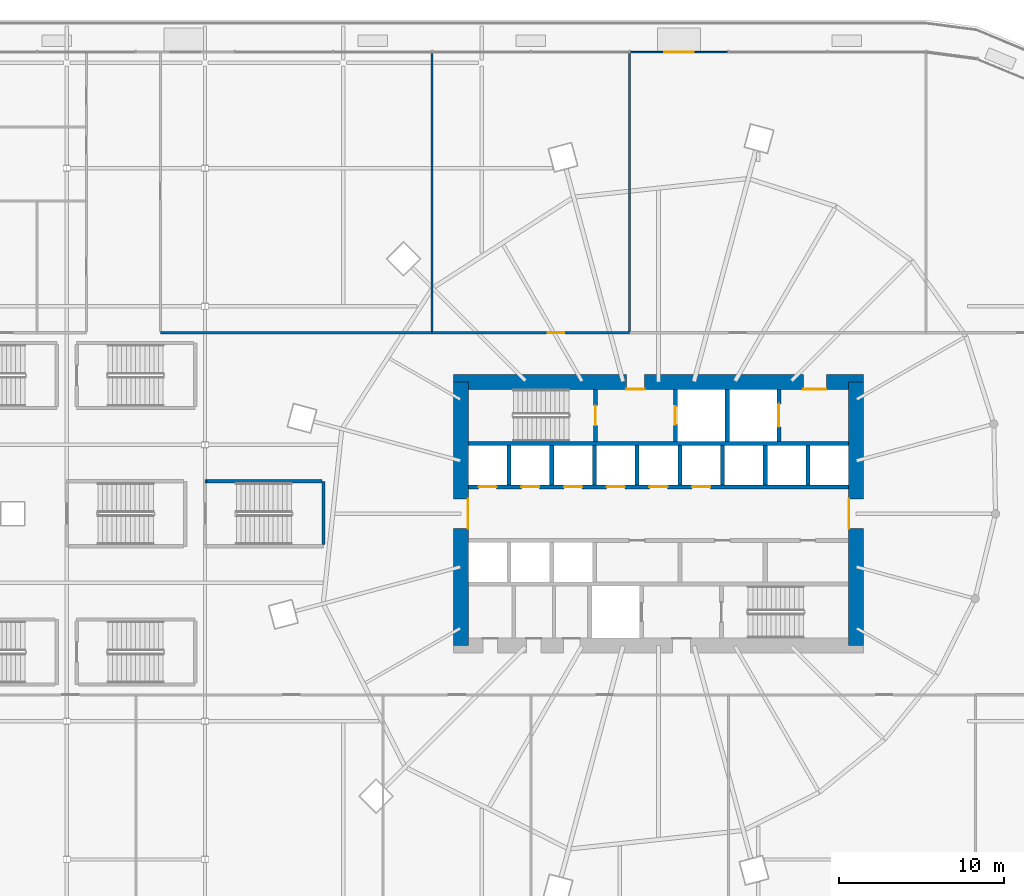
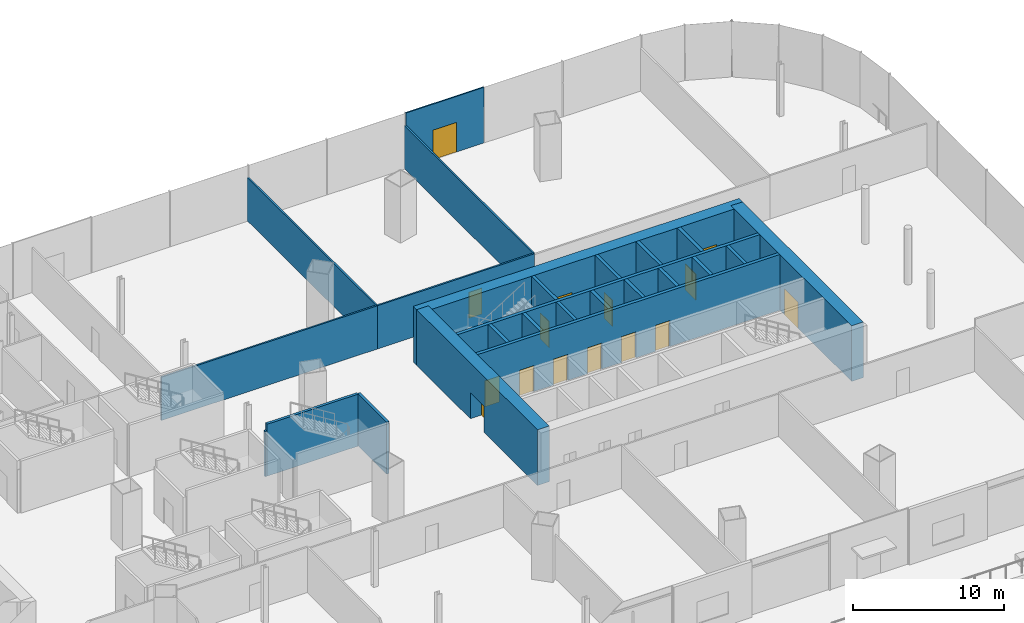
# One storey, part 40 of 52: 25 walls, 15 doors, 15 openings.
"""IFC4 building model written with IfcOpenShell, lengths in metres."""

from ifc_helpers import new_model, si_unit, direction, frame, frame_2d, origin, place, context, subcontext, project, spatial, rectangle, extrude, material, layer, layer_set, type_object, element, fill, save


model = new_model("IFC4")

# Units and contexts
model_context = context("Model", 3, precision=1e-05, world=origin(), true_north=direction((0.0, 1.0)))
body_context = subcontext(model_context, "Body", "Model", "MODEL_VIEW")
ifc_project = project(units=[si_unit("LENGTHUNIT", "METRE"), si_unit("AREAUNIT", "SQUARE_METRE"), si_unit("VOLUMEUNIT", "CUBIC_METRE"), si_unit("PLANEANGLEUNIT", "RADIAN"), si_unit("MASSUNIT", "GRAM", prefix="KILO")], contexts=[model_context])

# Site, building, storey
site_placement = place(None, origin())
site = spatial("IfcSite", under=ifc_project, at=site_placement, CompositionType="ELEMENT")
building_placement = place(site_placement, origin())
building = spatial("IfcBuilding", under=site, at=building_placement, Name="Rimbun Link Towers", CompositionType="ELEMENT")
storey_placement = place(building_placement, frame((0.0, 0.0, 21.0)))
storey = spatial("IfcBuildingStorey", under=building, at=storey_placement, Name="L04", CompositionType="ELEMENT", Elevation=21.0)

# Wall, openings, doors
ifc_material_1 = material(Name="Concrete C60/75", Category="concrete")
ifc_layer_1 = layer(ifc_material_1, 0.89990234375)
ifc_layer_set_1 = layer_set([ifc_layer_1], Name="Core shear wall 900")
wall_type_1 = type_object("IfcWallType", Name="Core shear wall 900", PredefinedType="SHEAR", material=ifc_layer_set_1)
wall_1_placement = place(storey_placement, frame((19.300048828125, 8.0, 0.0), z_axis=(0.0, 0.0, 1.0), x_axis=(1.0, 0.0, 0.0)))
wall_1 = element("IfcWall", 1, at=wall_1_placement, inside=storey, type_object=wall_type_1, Name="L04 T2 core wall N", PredefinedType="SHEAR", context=body_context, shape_type="SweptSolid", body=[
    extrude(rectangle(XDim=24.89990234375, YDim=0.89990234375, at=frame_2d((12.449951171875, 0.0))), origin(), (0.0, 0.0, 1.0), 4.5),
])
opening_1_placement = place(wall_1_placement, frame((10.5, 0.0, 0.0)))
opening_1 = element("IfcOpeningElement", 2, at=opening_1_placement, cuts=wall_1, Name="Opening C2DCF01N", PredefinedType="OPENING", context=body_context, shape_type="SweptSolid", body=[
    extrude(rectangle(XDim=1.10009765625, YDim=2.10009765625, at=frame_2d((0.550048828125, 1.050048828125))), frame((0.0, 0.4599609375, 0.0), z_axis=(0.0, -1.0, 0.0), x_axis=(1.0, 0.0, 0.0)), (0.0, 0.0, 1.0), 0.919921875),
])
opening_2_placement = place(wall_1_placement, frame((21.25, 0.0, 0.0)))
opening_2 = element("IfcOpeningElement", 3, at=opening_2_placement, cuts=wall_1, Name="Opening C2DSL02N", PredefinedType="OPENING", context=body_context, shape_type="SweptSolid", body=[
    extrude(rectangle(XDim=1.39990234375, YDim=2.10009765625, at=frame_2d((0.699951171875, 1.050048828125))), frame((0.0, 0.4599609375, 0.0), z_axis=(0.0, -1.0, 0.0), x_axis=(1.0, 0.0, 0.0)), (0.0, 0.0, 1.0), 0.919921875),
])
ifc_material_2 = material(Name="Steel fire door set", Category="steel")
door_type_1 = type_object("IfcDoorType", Name="Core fire door single", OperationType="SINGLE_SWING_LEFT", PredefinedType="DOOR", material=ifc_material_2)
door_1_placement = place(opening_1_placement, origin())
door_1 = element("IfcDoor", 4, at=door_1_placement, inside=storey, type_object=door_type_1, Name="L04 T2 firefighting lobby n door", OperationType="SINGLE_SWING_LEFT", OverallHeight=2.10009765625, OverallWidth=1.10009765625, PredefinedType="DOOR", context=body_context, shape_type="SweptSolid", body=[
    extrude(rectangle(XDim=1.10009765625, YDim=2.10009765625, at=frame_2d((0.550048828125, 1.050048828125))), frame((0.0, -0.39990234375, 0.0), z_axis=(0.0, -1.0, 0.0), x_axis=(1.0, 0.0, 0.0)), (0.0, 0.0, 1.0), 0.050048828125),
])
fill(opening_1, door_1)
ifc_material_3 = material(Name="Steel fire door set", Category="steel")
door_type_2 = type_object("IfcDoorType", Name="Service lobby door double", OperationType="DOUBLE_DOOR_SINGLE_SWING", PredefinedType="DOOR", material=ifc_material_3)
door_2_placement = place(opening_2_placement, origin())
door_2 = element("IfcDoor", 5, at=door_2_placement, inside=storey, type_object=door_type_2, Name="L04 T2 service lobby door", OperationType="DOUBLE_DOOR_SINGLE_SWING", OverallHeight=2.10009765625, OverallWidth=1.39990234375, PredefinedType="DOOR", context=body_context, shape_type="SweptSolid", body=[
    extrude(rectangle(XDim=1.39990234375, YDim=2.10009765625, at=frame_2d((0.699951171875, 1.050048828125))), frame((0.0, -0.39990234375, 0.0), z_axis=(0.0, -1.0, 0.0), x_axis=(1.0, 0.0, 0.0)), (0.0, 0.0, 1.0), 0.050048828125),
])
fill(opening_2, door_2)

# Wall, opening, door
wall_2_placement = place(storey_placement, frame((43.75, -8.0, 0.0), z_axis=(0.0, 0.0, 1.0), x_axis=(0.0, 1.0, 0.0)))
wall_2 = element("IfcWall", 6, at=wall_2_placement, inside=storey, type_object=wall_type_1, Name="L04 T2 core wall E", PredefinedType="SHEAR", context=body_context, shape_type="SweptSolid", body=[
    extrude(rectangle(XDim=16.0, YDim=0.89990234375, at=frame_2d((8.0, 0.0))), origin(), (0.0, 0.0, 1.0), 4.5),
])
opening_3_placement = place(wall_2_placement, frame((7.10009765625, 0.0, 0.0)))
opening_3 = element("IfcOpeningElement", 7, at=opening_3_placement, cuts=wall_2, Name="Opening C2DCL01E", PredefinedType="OPENING", context=body_context, shape_type="SweptSolid", body=[
    extrude(rectangle(XDim=1.800048828125, YDim=2.10009765625, at=frame_2d((0.89990234375, 1.050048828125))), frame((0.0, 0.4599609375, 0.0), z_axis=(0.0, -1.0, 0.0), x_axis=(1.0, 0.0, 0.0)), (0.0, 0.0, 1.0), 0.919921875),
])
ifc_material_4 = material(Name="Steel fire door set", Category="steel")
door_type_3 = type_object("IfcDoorType", Name="Core lobby door double", OperationType="DOUBLE_DOOR_SINGLE_SWING", PredefinedType="DOOR", material=ifc_material_4)
door_3_placement = place(opening_3_placement, origin())
door_3 = element("IfcDoor", 8, at=door_3_placement, inside=storey, type_object=door_type_3, Name="L04 T2 lift lobby door", OperationType="DOUBLE_DOOR_SINGLE_SWING", OverallHeight=2.10009765625, OverallWidth=1.800048828125, PredefinedType="DOOR", context=body_context, shape_type="SweptSolid", body=[
    extrude(rectangle(XDim=1.800048828125, YDim=2.10009765625, at=frame_2d((0.89990234375, 1.050048828125))), frame((0.0, 0.4501953125, 0.0), z_axis=(0.0, -1.0, 0.0), x_axis=(1.0, 0.0, 0.0)), (0.0, 0.0, 1.0), 0.050048828125),
])
fill(opening_3, door_3)

wall_3_placement = place(storey_placement, frame((19.75, -8.0, 0.0), z_axis=(0.0, 0.0, 1.0), x_axis=(0.0, 1.0, 0.0)))
wall_3 = element("IfcWall", 9, at=wall_3_placement, inside=storey, type_object=wall_type_1, Name="L04 T2 core wall W", PredefinedType="SHEAR", context=body_context, shape_type="SweptSolid", body=[
    extrude(rectangle(XDim=16.0, YDim=0.89990234375, at=frame_2d((8.0, 0.0))), origin(), (0.0, 0.0, 1.0), 4.5),
])
opening_4_placement = place(wall_3_placement, frame((7.10009765625, 0.0, 0.0)))
opening_4 = element("IfcOpeningElement", 10, at=opening_4_placement, cuts=wall_3, Name="Opening C2DCL01W", PredefinedType="OPENING", context=body_context, shape_type="SweptSolid", body=[
    extrude(rectangle(XDim=1.800048828125, YDim=2.10009765625, at=frame_2d((0.89990234375, 1.050048828125))), frame((0.0, 0.4599609375, 0.0), z_axis=(0.0, -1.0, 0.0), x_axis=(1.0, 0.0, 0.0)), (0.0, 0.0, 1.0), 0.919921875),
])
door_4_placement = place(opening_4_placement, origin())
door_4 = element("IfcDoor", 11, at=door_4_placement, inside=storey, type_object=door_type_3, Name="L04 T2 lift lobby door", OperationType="DOUBLE_DOOR_SINGLE_SWING", OverallHeight=2.10009765625, OverallWidth=1.800048828125, PredefinedType="DOOR", context=body_context, shape_type="SweptSolid", body=[
    extrude(rectangle(XDim=1.800048828125, YDim=2.10009765625, at=frame_2d((0.89990234375, 1.050048828125))), frame((0.0, -0.39990234375, 0.0), z_axis=(0.0, -1.0, 0.0), x_axis=(1.0, 0.0, 0.0)), (0.0, 0.0, 1.0), 0.050048828125),
])
fill(opening_4, door_4)

ifc_material_5 = material(Name="Aluminium framed insulated infill panel", Category="aluminium")
ifc_layer_2 = layer(ifc_material_5, 0.10009765625)
ifc_layer_set_2 = layer_set([ifc_layer_2], Name="ED framed infill wall 100")
wall_type_2 = type_object("IfcWallType", Name="ED framed infill wall 100", PredefinedType="STANDARD", material=ifc_layer_set_2)
wall_4_placement = place(storey_placement, frame((30.02001953125, 28.050048828125, 0.0), z_axis=(0.0, 0.0, 1.0), x_axis=(1.0, 0.0, 0.0)))
wall_4 = element("IfcWall", 12, at=wall_4_placement, inside=storey, type_object=wall_type_2, Name="Framed door bay wall", PredefinedType="STANDARD", context=body_context, shape_type="SweptSolid", body=[
    extrude(rectangle(XDim=5.9599609375, YDim=0.10009765625, at=frame_2d((2.97998046875, 0.0))), origin(), (0.0, 0.0, 1.0), 4.5),
])
opening_5_placement = place(wall_4_placement, frame((2.080078125, 0.0, 0.0)))
opening_5 = element("IfcOpeningElement", 13, at=opening_5_placement, cuts=wall_4, Name="Opening ED38", PredefinedType="OPENING", context=body_context, shape_type="SweptSolid", body=[
    extrude(rectangle(XDim=1.800048828125, YDim=2.39990234375, at=frame_2d((0.89990234375, 1.199951171875))), frame((0.0, 0.06005859375, 0.0), z_axis=(0.0, -1.0, 0.0), x_axis=(1.0, 0.0, 0.0)), (0.0, 0.0, 1.0), 0.1201171875),
])
ifc_material_6 = material(Name="Aluminium framed glazed door, low-iron glass", Category="aluminium")
door_type_4 = type_object("IfcDoorType", Name="ED terrace door double leaf 1800X2400", OperationType="DOUBLE_DOOR_SINGLE_SWING", PredefinedType="DOOR", material=ifc_material_6)
door_5_placement = place(opening_5_placement, origin())
door_5 = element("IfcDoor", 14, at=door_5_placement, inside=storey, type_object=door_type_4, Name="Terrace door", OperationType="SINGLE_SWING_LEFT", OverallHeight=2.39990234375, OverallWidth=1.800048828125, PredefinedType="DOOR", context=body_context, shape_type="SweptSolid", body=[
    extrude(rectangle(XDim=1.800048828125, YDim=2.39990234375, at=frame_2d((0.89990234375, 1.199951171875))), frame((0.0, 0.02490234375, 0.0), z_axis=(0.0, -1.0, 0.0), x_axis=(1.0, 0.0, 0.0)), (0.0, 0.0, 1.0), 0.050048828125),
])
fill(opening_5, door_5)

# Wall
ifc_material_7 = material(Name="Gypsum board on steel studs", Category="steel")
ifc_layer_3 = layer(ifc_material_7, 0.125)
ifc_layer_set_3 = layer_set([ifc_layer_3], Name="Partition 125 board on studs")
wall_type_3 = type_object("IfcWallType", Name="Partition 125 board on studs", PredefinedType="PARTITIONING", material=ifc_layer_set_3)
wall_5_placement = place(storey_placement, frame((18.0, 11.0, 0.0), z_axis=(0.0, 0.0, 1.0), x_axis=(-1.0, 0.0, 0.0)))
element("IfcWall", 15, at=wall_5_placement, inside=storey, type_object=wall_type_3, Name="PD/PW/L04/041", PredefinedType="PARTITIONING", context=body_context, shape_type="SweptSolid", body=[
    extrude(rectangle(XDim=16.5, YDim=0.125, at=frame_2d((8.25, 0.0))), origin(), (0.0, 0.0, 1.0), 3.49609375),
])

# Wall, opening, door
wall_6_placement = place(storey_placement, frame((30.0, 11.0, 0.0), z_axis=(0.0, 0.0, 1.0), x_axis=(-1.0, 0.0, 0.0)))
wall_6 = element("IfcWall", 16, at=wall_6_placement, inside=storey, type_object=wall_type_3, Name="PD/PW/L04/042", PredefinedType="PARTITIONING", context=body_context, shape_type="SweptSolid", body=[
    extrude(rectangle(XDim=12.0, YDim=0.125, at=frame_2d((6.0, 0.0))), origin(), (0.0, 0.0, 1.0), 3.49609375),
])
opening_6_placement = place(wall_6_placement, frame((3.985107421875, 0.0, 0.0)))
opening_6 = element("IfcOpeningElement", 17, at=opening_6_placement, cuts=wall_6, Name="Opening PD D04.20", PredefinedType="OPENING", context=body_context, shape_type="SweptSolid", body=[
    extrude(rectangle(XDim=1.0, YDim=2.10009765625, at=frame_2d((0.5, 1.050048828125))), frame((0.0, 0.072509765625, 0.0), z_axis=(0.0, -1.0, 0.0), x_axis=(1.0, 0.0, 0.0)), (0.0, 0.0, 1.0), 0.14501953125),
])
ifc_material_8 = material(Name="Timber door set", Category="wood")
door_type_5 = type_object("IfcDoorType", Name="Door single leaf 1000 x 2100", OperationType="NOTDEFINED", PredefinedType="DOOR", material=ifc_material_8)
door_6_placement = place(opening_6_placement, origin())
door_6 = element("IfcDoor", 18, at=door_6_placement, inside=storey, type_object=door_type_5, Name="PD/DR/L04/020", OperationType="SINGLE_SWING_LEFT", OverallHeight=2.10009765625, OverallWidth=1.0, PredefinedType="DOOR", context=body_context, shape_type="SweptSolid", body=[
    extrude(rectangle(XDim=1.0, YDim=2.10009765625, at=frame_2d((0.5, 1.050048828125))), frame((0.0, 0.02490234375, 0.0), z_axis=(0.0, -1.0, 0.0), x_axis=(1.0, 0.0, 0.0)), (0.0, 0.0, 1.0), 0.050048828125),
])
fill(opening_6, door_6)

# Walls
for number, where, z_axis, x_axis, name in (
    (19, (18.0, 11.0625, 0.0), (0.0, 0.0, 1.0), (0.0, 1.0, 0.0), "PD/PW/L04/069"),
    (20, (30.0, 11.0625, 0.0), (0.0, 0.0, 1.0), (0.0, 1.0, 0.0), "PD/PW/L04/070"),
):
    element("IfcWall", number, at=place(storey_placement, frame(where, z_axis=z_axis, x_axis=x_axis)), inside=storey, type_object=wall_type_3, Name=name, PredefinedType="PARTITIONING", context=body_context, shape_type="SweptSolid", body=[
        extrude(rectangle(XDim=17.017578125, YDim=0.125, at=frame_2d((8.5087890625, 0.0))), origin(), (0.0, 0.0, 1.0), 3.49609375),
    ])
ifc_material_9 = material(Name="Concrete C60/75", Category="concrete")
ifc_layer_4 = layer(ifc_material_9, 0.25)
ifc_layer_set_4 = layer_set([ifc_layer_4], Name="Shaft wall 250")
wall_type_4 = type_object("IfcWallType", Name="Shaft wall 250", PredefinedType="SHEAR", material=ifc_layer_set_4)
wall_7_placement = place(storey_placement, frame((20.199951171875, 4.27490234375, 0.0), z_axis=(0.0, 0.0, 1.0), x_axis=(1.0, 0.0, 0.0)))
element("IfcWall", 21, at=wall_7_placement, inside=storey, type_object=wall_type_4, Name="L04 T2 core wall BN", PredefinedType="SHEAR", context=body_context, shape_type="SweptSolid", body=[
    extrude(rectangle(XDim=23.10009765625, YDim=0.25, at=frame_2d((11.550048828125, 0.0))), origin(), (0.0, 0.0, 1.0), 4.5),
])

# Wall, openings, doors
wall_8_placement = place(storey_placement, frame((20.199951171875, 1.625, 0.0), z_axis=(0.0, 0.0, 1.0), x_axis=(1.0, 0.0, 0.0)))
wall_8 = element("IfcWall", 22, at=wall_8_placement, inside=storey, type_object=wall_type_4, Name="L04 T2 core wall FN", PredefinedType="SHEAR", context=body_context, shape_type="SweptSolid", body=[
    extrude(rectangle(XDim=23.10009765625, YDim=0.25, at=frame_2d((11.550048828125, 0.0))), origin(), (0.0, 0.0, 1.0), 4.5),
])
opening_7_placement = place(wall_8_placement, frame((0.622314453125, 0.0, 0.0)))
opening_7 = element("IfcOpeningElement", 23, at=opening_7_placement, cuts=wall_8, Name="Opening LD-T2-LR1", PredefinedType="OPENING", context=body_context, shape_type="SweptSolid", body=[
    extrude(rectangle(XDim=1.10009765625, YDim=2.10009765625, at=frame_2d((0.550048828125, 1.050048828125))), frame((0.0, 0.135009765625, 0.0), z_axis=(0.0, -1.0, 0.0), x_axis=(1.0, 0.0, 0.0)), (0.0, 0.0, 1.0), 0.27001953125),
])
opening_8_placement = place(wall_8_placement, frame((3.216796875, 0.0, 0.0)))
opening_8 = element("IfcOpeningElement", 24, at=opening_8_placement, cuts=wall_8, Name="Opening LD-T2-LR2", PredefinedType="OPENING", context=body_context, shape_type="SweptSolid", body=[
    extrude(rectangle(XDim=1.10009765625, YDim=2.10009765625, at=frame_2d((0.550048828125, 1.050048828125))), frame((0.0, 0.135009765625, 0.0), z_axis=(0.0, -1.0, 0.0), x_axis=(1.0, 0.0, 0.0)), (0.0, 0.0, 1.0), 0.27001953125),
])
opening_9_placement = place(wall_8_placement, frame((5.81103515625, 0.0, 0.0)))
opening_9 = element("IfcOpeningElement", 25, at=opening_9_placement, cuts=wall_8, Name="Opening LD-T2-LR3", PredefinedType="OPENING", context=body_context, shape_type="SweptSolid", body=[
    extrude(rectangle(XDim=1.10009765625, YDim=2.10009765625, at=frame_2d((0.550048828125, 1.050048828125))), frame((0.0, 0.135009765625, 0.0), z_axis=(0.0, -1.0, 0.0), x_axis=(1.0, 0.0, 0.0)), (0.0, 0.0, 1.0), 0.27001953125),
])
opening_10_placement = place(wall_8_placement, frame((8.405517578125, 0.0, 0.0)))
opening_10 = element("IfcOpeningElement", 26, at=opening_10_placement, cuts=wall_8, Name="Opening LD-T2-LR4", PredefinedType="OPENING", context=body_context, shape_type="SweptSolid", body=[
    extrude(rectangle(XDim=1.10009765625, YDim=2.10009765625, at=frame_2d((0.550048828125, 1.050048828125))), frame((0.0, 0.135009765625, 0.0), z_axis=(0.0, -1.0, 0.0), x_axis=(1.0, 0.0, 0.0)), (0.0, 0.0, 1.0), 0.27001953125),
])
opening_11_placement = place(wall_8_placement, frame((11.0, 0.0, 0.0)))
opening_11 = element("IfcOpeningElement", 27, at=opening_11_placement, cuts=wall_8, Name="Opening LD-T2-LR5", PredefinedType="OPENING", context=body_context, shape_type="SweptSolid", body=[
    extrude(rectangle(XDim=1.10009765625, YDim=2.10009765625, at=frame_2d((0.550048828125, 1.050048828125))), frame((0.0, 0.135009765625, 0.0), z_axis=(0.0, -1.0, 0.0), x_axis=(1.0, 0.0, 0.0)), (0.0, 0.0, 1.0), 0.27001953125),
])
opening_12_placement = place(wall_8_placement, frame((13.594482421875, 0.0, 0.0)))
opening_12 = element("IfcOpeningElement", 28, at=opening_12_placement, cuts=wall_8, Name="Opening LD-T2-LR6", PredefinedType="OPENING", context=body_context, shape_type="SweptSolid", body=[
    extrude(rectangle(XDim=1.10009765625, YDim=2.10009765625, at=frame_2d((0.550048828125, 1.050048828125))), frame((0.0, 0.135009765625, 0.0), z_axis=(0.0, -1.0, 0.0), x_axis=(1.0, 0.0, 0.0)), (0.0, 0.0, 1.0), 0.27001953125),
])
ifc_material_10 = material(Name="Stainless steel grade 316", Category="steel")
door_type_6 = type_object("IfcDoorType", Name="Lift landing door", OperationType="DOUBLE_DOOR_SLIDING", PredefinedType="DOOR", material=ifc_material_10)
door_7_placement = place(opening_7_placement, origin())
door_7 = element("IfcDoor", 29, at=door_7_placement, inside=storey, type_object=door_type_6, Name="L04 T2 lift LR1 landing door", OperationType="DOUBLE_DOOR_SLIDING", OverallHeight=2.10009765625, OverallWidth=1.10009765625, PredefinedType="DOOR", context=body_context, shape_type="SweptSolid", body=[
    extrude(rectangle(XDim=1.10009765625, YDim=2.10009765625, at=frame_2d((0.550048828125, 1.050048828125))), frame((0.0, 0.02490234375, 0.0), z_axis=(0.0, -1.0, 0.0), x_axis=(1.0, 0.0, 0.0)), (0.0, 0.0, 1.0), 0.050048828125),
])
fill(opening_7, door_7)
door_8_placement = place(opening_8_placement, origin())
door_8 = element("IfcDoor", 30, at=door_8_placement, inside=storey, type_object=door_type_6, Name="L04 T2 lift LR2 landing door", OperationType="DOUBLE_DOOR_SLIDING", OverallHeight=2.10009765625, OverallWidth=1.10009765625, PredefinedType="DOOR", context=body_context, shape_type="SweptSolid", body=[
    extrude(rectangle(XDim=1.10009765625, YDim=2.10009765625, at=frame_2d((0.550048828125, 1.050048828125))), frame((0.0, 0.02490234375, 0.0), z_axis=(0.0, -1.0, 0.0), x_axis=(1.0, 0.0, 0.0)), (0.0, 0.0, 1.0), 0.050048828125),
])
fill(opening_8, door_8)
door_9_placement = place(opening_9_placement, origin())
door_9 = element("IfcDoor", 31, at=door_9_placement, inside=storey, type_object=door_type_6, Name="L04 T2 lift LR3 landing door", OperationType="DOUBLE_DOOR_SLIDING", OverallHeight=2.10009765625, OverallWidth=1.10009765625, PredefinedType="DOOR", context=body_context, shape_type="SweptSolid", body=[
    extrude(rectangle(XDim=1.10009765625, YDim=2.10009765625, at=frame_2d((0.550048828125, 1.050048828125))), frame((0.0, 0.02490234375, 0.0), z_axis=(0.0, -1.0, 0.0), x_axis=(1.0, 0.0, 0.0)), (0.0, 0.0, 1.0), 0.050048828125),
])
fill(opening_9, door_9)
door_10_placement = place(opening_10_placement, origin())
door_10 = element("IfcDoor", 32, at=door_10_placement, inside=storey, type_object=door_type_6, Name="L04 T2 lift LR4 landing door", OperationType="DOUBLE_DOOR_SLIDING", OverallHeight=2.10009765625, OverallWidth=1.10009765625, PredefinedType="DOOR", context=body_context, shape_type="SweptSolid", body=[
    extrude(rectangle(XDim=1.10009765625, YDim=2.10009765625, at=frame_2d((0.550048828125, 1.050048828125))), frame((0.0, 0.02490234375, 0.0), z_axis=(0.0, -1.0, 0.0), x_axis=(1.0, 0.0, 0.0)), (0.0, 0.0, 1.0), 0.050048828125),
])
fill(opening_10, door_10)
door_11_placement = place(opening_11_placement, origin())
door_11 = element("IfcDoor", 33, at=door_11_placement, inside=storey, type_object=door_type_6, Name="L04 T2 lift LR5 landing door", OperationType="DOUBLE_DOOR_SLIDING", OverallHeight=2.10009765625, OverallWidth=1.10009765625, PredefinedType="DOOR", context=body_context, shape_type="SweptSolid", body=[
    extrude(rectangle(XDim=1.10009765625, YDim=2.10009765625, at=frame_2d((0.550048828125, 1.050048828125))), frame((0.0, 0.02490234375, 0.0), z_axis=(0.0, -1.0, 0.0), x_axis=(1.0, 0.0, 0.0)), (0.0, 0.0, 1.0), 0.050048828125),
])
fill(opening_11, door_11)
door_12_placement = place(opening_12_placement, origin())
door_12 = element("IfcDoor", 34, at=door_12_placement, inside=storey, type_object=door_type_6, Name="L04 T2 lift LR6 landing door", OperationType="DOUBLE_DOOR_SLIDING", OverallHeight=2.10009765625, OverallWidth=1.10009765625, PredefinedType="DOOR", context=body_context, shape_type="SweptSolid", body=[
    extrude(rectangle(XDim=1.10009765625, YDim=2.10009765625, at=frame_2d((0.550048828125, 1.050048828125))), frame((0.0, 0.02490234375, 0.0), z_axis=(0.0, -1.0, 0.0), x_axis=(1.0, 0.0, 0.0)), (0.0, 0.0, 1.0), 0.050048828125),
])
fill(opening_12, door_12)

# Walls
for number, where, z_axis, x_axis, name in (
    (35, (22.66943359375, 1.75, 0.0), (0.0, 0.0, 1.0), (0.0, 1.0, 0.0), "L04 T2 core wall DN0"),
    (36, (25.263916015625, 1.75, 0.0), (0.0, 0.0, 1.0), (0.0, 1.0, 0.0), "L04 T2 core wall DN1"),
    (37, (27.8583984375, 1.75, 0.0), (0.0, 0.0, 1.0), (0.0, 1.0, 0.0), "L04 T2 core wall DN2"),
    (38, (30.452880859375, 1.75, 0.0), (0.0, 0.0, 1.0), (0.0, 1.0, 0.0), "L04 T2 core wall DN3"),
    (39, (33.047119140625, 1.75, 0.0), (0.0, 0.0, 1.0), (0.0, 1.0, 0.0), "L04 T2 core wall DN4"),
    (40, (35.6416015625, 1.75, 0.0), (0.0, 0.0, 1.0), (0.0, 1.0, 0.0), "L04 T2 core wall DN5"),
    (41, (38.236083984375, 1.75, 0.0), (0.0, 0.0, 1.0), (0.0, 1.0, 0.0), "L04 T2 core wall DN6"),
    (42, (40.83056640625, 1.75, 0.0), (0.0, 0.0, 1.0), (0.0, 1.0, 0.0), "L04 T2 core wall DN7"),
):
    element("IfcWall", number, at=place(storey_placement, frame(where, z_axis=z_axis, x_axis=x_axis)), inside=storey, type_object=wall_type_4, Name=name, PredefinedType="SHEAR", context=body_context, shape_type="SweptSolid", body=[
        extrude(rectangle(XDim=2.39990234375, YDim=0.25, at=frame_2d((1.199951171875, 0.0))), origin(), (0.0, 0.0, 1.0), 4.5),
    ])

# Wall, opening, door
wall_9_placement = place(storey_placement, frame((27.925048828125, 4.39990234375, 0.0), z_axis=(0.0, 0.0, 1.0), x_axis=(0.0, 1.0, 0.0)))
wall_9 = element("IfcWall", 43, at=wall_9_placement, inside=storey, type_object=wall_type_4, Name="L04 T2 core wall A1", PredefinedType="SHEAR", context=body_context, shape_type="SweptSolid", body=[
    extrude(rectangle(XDim=3.150146484375, YDim=0.25, at=frame_2d((1.5751953125, 0.0))), origin(), (0.0, 0.0, 1.0), 4.5),
])
opening_13_placement = place(wall_9_placement, frame((0.97509765625, 0.0, 0.0)))
opening_13 = element("IfcOpeningElement", 44, at=opening_13_placement, cuts=wall_9, Name="Opening C2DST01A1", PredefinedType="OPENING", context=body_context, shape_type="SweptSolid", body=[
    extrude(rectangle(XDim=1.199951171875, YDim=2.10009765625, at=frame_2d((0.60009765625, 1.050048828125))), frame((0.0, 0.135009765625, 0.0), z_axis=(0.0, -1.0, 0.0), x_axis=(1.0, 0.0, 0.0)), (0.0, 0.0, 1.0), 0.27001953125),
])
ifc_material_11 = material(Name="Steel fire door set", Category="steel")
door_type_7 = type_object("IfcDoorType", Name="Stair door", OperationType="SINGLE_SWING_LEFT", PredefinedType="DOOR", material=ifc_material_11)
door_13_placement = place(opening_13_placement, origin())
door_13 = element("IfcDoor", 45, at=door_13_placement, inside=storey, type_object=door_type_7, Name="L04 T2 stair a door", OperationType="SINGLE_SWING_RIGHT", OverallHeight=2.10009765625, OverallWidth=1.199951171875, PredefinedType="DOOR", context=body_context, shape_type="SweptSolid", body=[
    extrude(rectangle(XDim=1.199951171875, YDim=2.10009765625, at=frame_2d((0.60009765625, 1.050048828125))), frame((0.0, 0.02490234375, 0.0), z_axis=(0.0, -1.0, 0.0), x_axis=(1.0, 0.0, 0.0)), (0.0, 0.0, 1.0), 0.050048828125),
])
fill(opening_13, door_13)

wall_10_placement = place(storey_placement, frame((32.77490234375, 4.39990234375, 0.0), z_axis=(0.0, 0.0, 1.0), x_axis=(0.0, 1.0, 0.0)))
wall_10 = element("IfcWall", 46, at=wall_10_placement, inside=storey, type_object=wall_type_4, Name="L04 T2 core wall A2", PredefinedType="SHEAR", context=body_context, shape_type="SweptSolid", body=[
    extrude(rectangle(XDim=3.150146484375, YDim=0.25, at=frame_2d((1.5751953125, 0.0))), origin(), (0.0, 0.0, 1.0), 4.5),
])
opening_14_placement = place(wall_10_placement, frame((1.02490234375, 0.0, 0.0)))
opening_14 = element("IfcOpeningElement", 47, at=opening_14_placement, cuts=wall_10, Name="Opening LD-T2-FF1", PredefinedType="OPENING", context=body_context, shape_type="SweptSolid", body=[
    extrude(rectangle(XDim=1.10009765625, YDim=2.10009765625, at=frame_2d((0.550048828125, 1.050048828125))), frame((0.0, 0.135009765625, 0.0), z_axis=(0.0, -1.0, 0.0), x_axis=(1.0, 0.0, 0.0)), (0.0, 0.0, 1.0), 0.27001953125),
])
door_14_placement = place(opening_14_placement, origin())
door_14 = element("IfcDoor", 48, at=door_14_placement, inside=storey, type_object=door_type_6, Name="L04 T2 lift FF1 landing door", OperationType="DOUBLE_DOOR_SLIDING", OverallHeight=2.10009765625, OverallWidth=1.10009765625, PredefinedType="DOOR", context=body_context, shape_type="SweptSolid", body=[
    extrude(rectangle(XDim=1.10009765625, YDim=2.10009765625, at=frame_2d((0.550048828125, 1.050048828125))), frame((0.0, 0.02490234375, 0.0), z_axis=(0.0, -1.0, 0.0), x_axis=(1.0, 0.0, 0.0)), (0.0, 0.0, 1.0), 0.050048828125),
])
fill(opening_14, door_14)

# Wall
wall_11_placement = place(storey_placement, frame((35.925048828125, 4.39990234375, 0.0), z_axis=(0.0, 0.0, 1.0), x_axis=(0.0, 1.0, 0.0)))
element("IfcWall", 49, at=wall_11_placement, inside=storey, type_object=wall_type_4, Name="L04 T2 core wall A3", PredefinedType="SHEAR", context=body_context, shape_type="SweptSolid", body=[
    extrude(rectangle(XDim=3.150146484375, YDim=0.25, at=frame_2d((1.5751953125, 0.0))), origin(), (0.0, 0.0, 1.0), 4.5),
])

# Wall, opening, door
wall_12_placement = place(storey_placement, frame((39.074951171875, 4.39990234375, 0.0), z_axis=(0.0, 0.0, 1.0), x_axis=(0.0, 1.0, 0.0)))
wall_12 = element("IfcWall", 50, at=wall_12_placement, inside=storey, type_object=wall_type_4, Name="L04 T2 core wall A4", PredefinedType="SHEAR", context=body_context, shape_type="SweptSolid", body=[
    extrude(rectangle(XDim=3.150146484375, YDim=0.25, at=frame_2d((1.5751953125, 0.0))), origin(), (0.0, 0.0, 1.0), 4.5),
])
opening_15_placement = place(wall_12_placement, frame((0.875, 0.0, 0.0)))
opening_15 = element("IfcOpeningElement", 51, at=opening_15_placement, cuts=wall_12, Name="Opening LD-T2-GL1", PredefinedType="OPENING", context=body_context, shape_type="SweptSolid", body=[
    extrude(rectangle(XDim=1.39990234375, YDim=2.10009765625, at=frame_2d((0.699951171875, 1.050048828125))), frame((0.0, 0.135009765625, 0.0), z_axis=(0.0, -1.0, 0.0), x_axis=(1.0, 0.0, 0.0)), (0.0, 0.0, 1.0), 0.27001953125),
])
ifc_material_12 = material(Name="Stainless steel grade 316", Category="steel")
door_type_8 = type_object("IfcDoorType", Name="Goods lift landing door", OperationType="DOUBLE_DOOR_SLIDING", PredefinedType="DOOR", material=ifc_material_12)
door_15_placement = place(opening_15_placement, origin())
door_15 = element("IfcDoor", 52, at=door_15_placement, inside=storey, type_object=door_type_8, Name="L04 T2 lift GL1 landing door", OperationType="DOUBLE_DOOR_SLIDING", OverallHeight=2.10009765625, OverallWidth=1.39990234375, PredefinedType="DOOR", context=body_context, shape_type="SweptSolid", body=[
    extrude(rectangle(XDim=1.39990234375, YDim=2.10009765625, at=frame_2d((0.699951171875, 1.050048828125))), frame((0.0, 0.02490234375, 0.0), z_axis=(0.0, -1.0, 0.0), x_axis=(1.0, 0.0, 0.0)), (0.0, 0.0, 1.0), 0.050048828125),
])
fill(opening_15, door_15)

# Walls
ifc_material_13 = material(Name="Concrete C40/50", Category="concrete")
ifc_layer_5 = layer(ifc_material_13, 0.199951171875)
ifc_layer_set_5 = layer_set([ifc_layer_5], Name="Stair shaft wall 200")
wall_type_5 = type_object("IfcWallType", Name="Stair shaft wall 200", PredefinedType="SOLIDWALL", material=ifc_layer_set_5)
wall_13_placement = place(storey_placement, frame((11.39990234375, -1.875, 0.0), z_axis=(0.0, 0.0, 1.0), x_axis=(0.0, 1.0, 0.0)))
element("IfcWall", 53, at=wall_13_placement, inside=storey, type_object=wall_type_5, Name="PD/PW/L04/018", PredefinedType="SOLIDWALL", context=body_context, shape_type="SweptSolid", body=[
    extrude(rectangle(XDim=3.85009765625, YDim=0.199951171875, at=frame_2d((1.925048828125, 0.0))), origin(), (0.0, 0.0, 1.0), 4.199951171875),
])
wall_14_placement = place(storey_placement, frame((11.300048828125, 1.97509765625, 0.0), z_axis=(0.0, 0.0, 1.0), x_axis=(-1.0, 0.0, 0.0)))
element("IfcWall", 54, at=wall_14_placement, inside=storey, type_object=wall_type_5, Name="PD/PW/L04/019", PredefinedType="SOLIDWALL", context=body_context, shape_type="SweptSolid", body=[
    extrude(rectangle(XDim=6.975341796875, YDim=0.199951171875, at=frame_2d((3.48779296875, 0.0))), origin(), (0.0, 0.0, 1.0), 4.199951171875),
])
wall_15_placement = place(storey_placement, frame((4.32470703125, 1.97509765625, 0.0), z_axis=(0.0, 0.0, 1.0), x_axis=(-1.0, 0.0, 0.0)))
element("IfcWall", 55, at=wall_15_placement, inside=storey, type_object=wall_type_5, Name="PD/PW/L04/019b", PredefinedType="SOLIDWALL", context=body_context, shape_type="SweptSolid", body=[
    extrude(rectangle(XDim=0.124755859375, YDim=0.199951171875, at=frame_2d((0.0625, 0.0))), origin(), (0.0, 0.0, 1.0), 3.64697265625),
])

save(model, "model.ifc")
